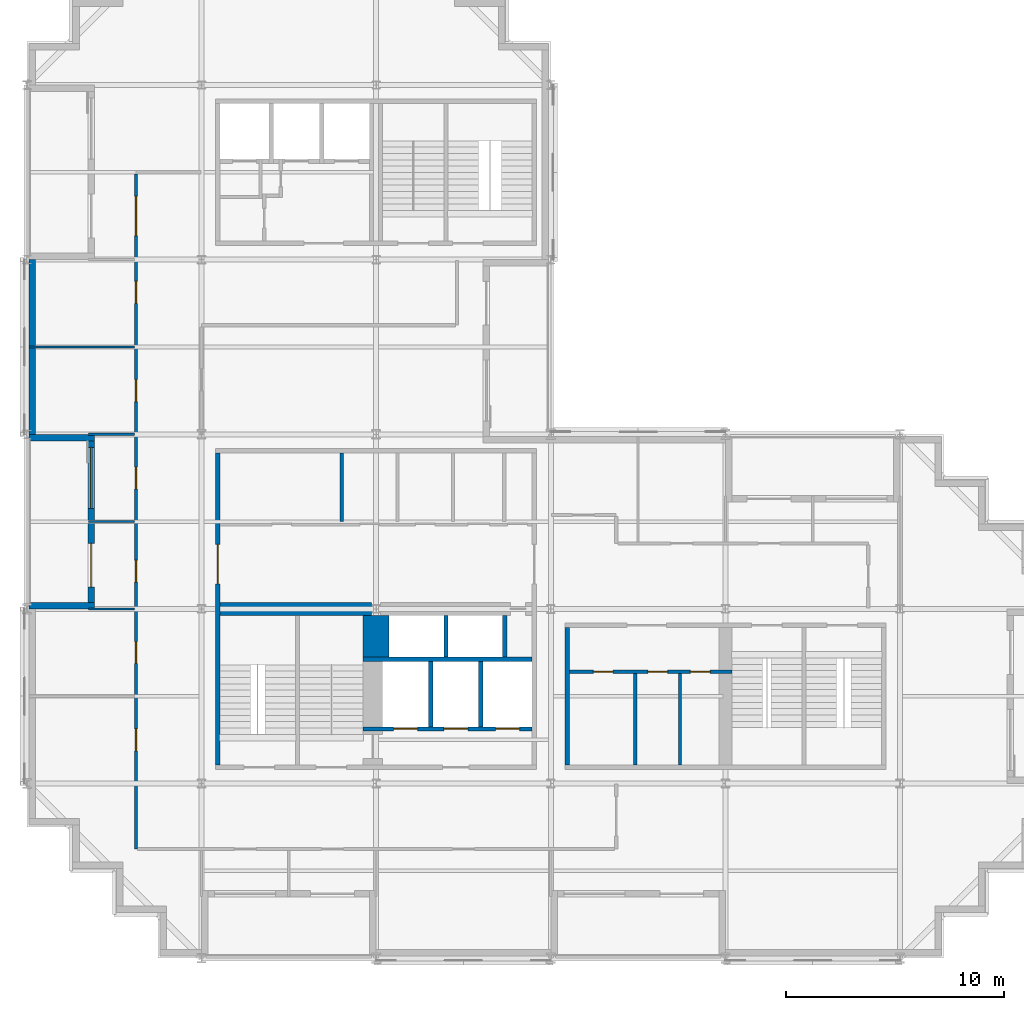
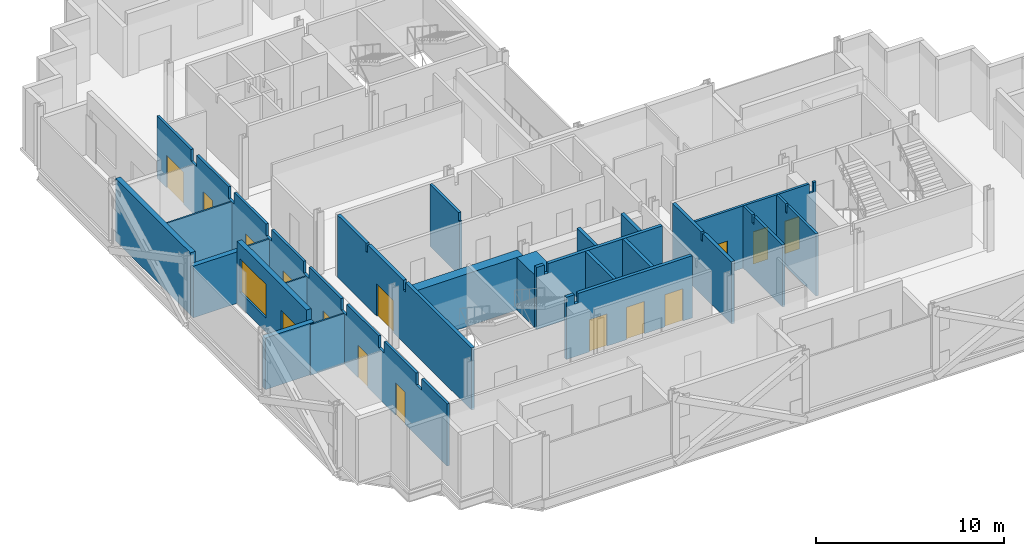
# One storey, part 5 of 11: 23 walls, 15 doors, 1 window, 16 openings.
"""IFC4 building model written with IfcOpenShell, lengths in metres."""

from ifc_helpers import new_model, si_unit, direction, frame, frame_2d, origin, place, context, subcontext, project, spatial, polyline, rectangle, outline, extrude, material, layer, layer_set, type_object, element, fill, save


model = new_model("IFC4")

# Units and contexts
model_context = context("Model", 3, precision=1e-05, world=origin(), true_north=direction((0.0, 1.0)))
body_context = subcontext(model_context, "Body", "Model", "MODEL_VIEW")
ifc_project = project(units=[si_unit("LENGTHUNIT", "METRE"), si_unit("AREAUNIT", "SQUARE_METRE"), si_unit("VOLUMEUNIT", "CUBIC_METRE"), si_unit("PLANEANGLEUNIT", "RADIAN"), si_unit("MASSUNIT", "GRAM", prefix="KILO")], contexts=[model_context])

# Site, building, storey
site_placement = place(None, origin())
site = spatial("IfcSite", under=ifc_project, at=site_placement, CompositionType="ELEMENT")
building_placement = place(site_placement, origin())
building = spatial("IfcBuilding", under=site, at=building_placement, Name="Immortelle Media Tower", CompositionType="ELEMENT")
storey_placement = place(building_placement, frame((0.0, 0.0, 141.0)))
storey = spatial("IfcBuildingStorey", under=building, at=storey_placement, Name="L28", CompositionType="ELEMENT", Elevation=141.0)

# Wall
ifc_material_1 = material(Name="Fire-rated gypsum board", Category="gypsum")
ifc_layer_1 = layer(ifc_material_1, 0.02490234375)
ifc_material_2 = material(Name="Steel ASTM A653 SS Gr 50 stud frame with mineral wool", Category="steel")
ifc_layer_2 = layer(ifc_material_2, 0.10009765625)
ifc_layer_3 = layer(ifc_material_1, 0.02490234375)
ifc_layer_set_1 = layer_set([ifc_layer_1, ifc_layer_2, ifc_layer_3], Name="Steel ASTM A653 SS Gr 50 stud frame with mineral wool")
wall_type_1 = type_object("IfcWallType", Name="Core partition 150", PredefinedType="PARTITIONING", material=ifc_layer_set_1)
wall_1_placement = place(storey_placement, frame((14.425048828125, 20.0, 0.0), z_axis=(0.0, 0.0, 1.0), x_axis=(0.0, 1.0, 0.0)))
element("IfcWall", 1, at=wall_1_placement, inside=storey, type_object=wall_type_1, Name="Core partition SW", PredefinedType="PARTITIONING", context=body_context, shape_type="SweptSolid", body=[
    extrude(outline(polyline([(0.0, 0.0), (3.14990234375, 0.0), (3.14990234375, 4.050048828125), (0.08740234375, 4.050048828125), (0.08642578125, 3.51806640625), (0.0, 3.51806640625), (0.0, 0.0)])), frame((0.0, 0.074951171875, 0.0), z_axis=(0.0, -1.0, 0.0), x_axis=(1.0, 0.0, 0.0)), (0.0, 0.0, 1.0), 0.14990234375),
])

# Wall, openings, doors
wall_2_placement = place(storey_placement, frame((24.85009765625, 13.125, 0.0), z_axis=(0.0, 0.0, 1.0), x_axis=(1.0, 0.0, 0.0)))
wall_2 = element("IfcWall", 2, at=wall_2_placement, inside=storey, type_object=wall_type_1, Name="Core partition SE", PredefinedType="PARTITIONING", context=body_context, shape_type="SweptSolid", body=[
    extrude(outline(polyline([(0.0, 0.0), (7.449951171875, 0.0), (7.449951171875, 4.050048828125), (7.26953125, 4.050048828125), (7.2685546875, 3.431884765625), (7.031494140625, 3.431884765625), (7.030517578125, 4.050048828125), (0.0, 4.050048828125), (0.0, 0.0)])), frame((0.0, 0.074951171875, 0.0), z_axis=(0.0, -1.0, 0.0), x_axis=(1.0, 0.0, 0.0)), (0.0, 0.0, 1.0), 0.14990234375),
])
opening_1_placement = place(wall_2_placement, frame((2.0, 0.0, 0.0), z_axis=(0.0, 0.0, 1.0), x_axis=(-1.0, 0.0, 0.0)))
opening_1 = element("IfcOpeningElement", 3, at=opening_1_placement, cuts=wall_2, Name="Opening C2-K016", PredefinedType="OPENING", context=body_context, shape_type="SweptSolid", body=[
    extrude(rectangle(XDim=0.89990234375, YDim=2.10009765625, at=frame_2d((0.449951171875, 1.050048828125))), frame((0.0, 0.0849609375, 0.0), z_axis=(0.0, -1.0, 0.0), x_axis=(1.0, 0.0, 0.0)), (0.0, 0.0, 1.0), 0.169921875),
])
opening_2_placement = place(wall_2_placement, frame((4.5, 0.0, 0.0), z_axis=(0.0, 0.0, 1.0), x_axis=(-1.0, 0.0, 0.0)))
opening_2 = element("IfcOpeningElement", 4, at=opening_2_placement, cuts=wall_2, Name="Opening C2-K018", PredefinedType="OPENING", context=body_context, shape_type="SweptSolid", body=[
    extrude(rectangle(XDim=0.89990234375, YDim=2.10009765625, at=frame_2d((0.449951171875, 1.050048828125))), frame((0.0, 0.0849609375, 0.0), z_axis=(0.0, -1.0, 0.0), x_axis=(1.0, 0.0, 0.0)), (0.0, 0.0, 1.0), 0.169921875),
])
opening_3_placement = place(wall_2_placement, frame((6.449951171875, 0.0, 0.0), z_axis=(0.0, 0.0, 1.0), x_axis=(-1.0, 0.0, 0.0)))
opening_3 = element("IfcOpeningElement", 5, at=opening_3_placement, cuts=wall_2, Name="Opening C2-K019", PredefinedType="OPENING", context=body_context, shape_type="SweptSolid", body=[
    extrude(rectangle(XDim=0.89990234375, YDim=2.10009765625, at=frame_2d((0.449951171875, 1.050048828125))), frame((0.0, 0.0849609375, 0.0), z_axis=(0.0, -1.0, 0.0), x_axis=(1.0, 0.0, 0.0)), (0.0, 0.0, 1.0), 0.169921875),
])
ifc_material_3 = material(Name="Timber", Category="wood")
door_type_1 = type_object("IfcDoorType", Name="Room door 900 x 2100", OperationType="NOTDEFINED", PredefinedType="NOTDEFINED", material=ifc_material_3)
door_1_placement = place(opening_1_placement, origin())
door_1 = element("IfcDoor", 6, at=door_1_placement, inside=storey, type_object=door_type_1, Name="Room C2-K016", OperationType="SINGLE_SWING_RIGHT", OverallHeight=2.10009765625, OverallWidth=0.89990234375, PredefinedType="NOTDEFINED", context=body_context, shape_type="SweptSolid", body=[
    extrude(rectangle(XDim=0.89990234375, YDim=2.10009765625, at=frame_2d((0.449951171875, 1.050048828125))), frame((0.0, 0.02490234375, 0.0), z_axis=(0.0, -1.0, 0.0), x_axis=(1.0, 0.0, 0.0)), (0.0, 0.0, 1.0), 0.050048828125),
])
fill(opening_1, door_1)
door_2_placement = place(opening_2_placement, origin())
door_2 = element("IfcDoor", 7, at=door_2_placement, inside=storey, type_object=door_type_1, Name="Room C2-K018", OperationType="SINGLE_SWING_LEFT", OverallHeight=2.10009765625, OverallWidth=0.89990234375, PredefinedType="NOTDEFINED", context=body_context, shape_type="SweptSolid", body=[
    extrude(rectangle(XDim=0.89990234375, YDim=2.10009765625, at=frame_2d((0.449951171875, 1.050048828125))), frame((0.0, 0.02490234375, 0.0), z_axis=(0.0, -1.0, 0.0), x_axis=(1.0, 0.0, 0.0)), (0.0, 0.0, 1.0), 0.050048828125),
])
fill(opening_2, door_2)
ifc_material_4 = material(Name="Galvanised steel door leaf and frame ASTM A653", Category="steel")
door_type_2 = type_object("IfcDoorType", Name="Service door 900 x 2100", OperationType="NOTDEFINED", PredefinedType="NOTDEFINED", material=ifc_material_4)
door_3_placement = place(opening_3_placement, origin())
door_3 = element("IfcDoor", 8, at=door_3_placement, inside=storey, type_object=door_type_2, Name="Service C2-K019", OperationType="SINGLE_SWING_LEFT", OverallHeight=2.10009765625, OverallWidth=0.89990234375, PredefinedType="NOTDEFINED", context=body_context, shape_type="SweptSolid", body=[
    extrude(rectangle(XDim=0.89990234375, YDim=2.10009765625, at=frame_2d((0.449951171875, 1.050048828125))), frame((0.0, 0.02490234375, 0.0), z_axis=(0.0, -1.0, 0.0), x_axis=(1.0, 0.0, 0.0)), (0.0, 0.0, 1.0), 0.050048828125),
])
fill(opening_3, door_3)

# Walls
for number, where, z_axis, x_axis, name in (
    (9, (27.875, 8.85009765625, 0.0), (0.0, 0.0, 1.0), (0.0, 1.0, 0.0), "Core partition SE"),
    (10, (29.925048828125, 8.85009765625, 0.0), (0.0, 0.0, 1.0), (0.0, 1.0, 0.0), "Core partition SE"),
):
    element("IfcWall", number, at=place(storey_placement, frame(where, z_axis=z_axis, x_axis=x_axis)), inside=storey, type_object=wall_type_1, Name=name, PredefinedType="PARTITIONING", context=body_context, shape_type="SweptSolid", body=[
        extrude(outline(polyline([(0.0, 0.0), (4.199951171875, 0.0), (4.199951171875, 4.050048828125), (3.237548828125, 4.050048828125), (3.236572265625, 3.51806640625), (3.0634765625, 3.51806640625), (3.0625, 4.050048828125), (0.0, 4.050048828125), (0.0, 0.0)])), frame((0.0, 0.074951171875, 0.0), z_axis=(0.0, -1.0, 0.0), x_axis=(1.0, 0.0, 0.0)), (0.0, 0.0, 1.0), 0.14990234375),
    ])

# Wall, openings, doors
ifc_layer_4 = layer(ifc_material_1, 0.03759765625)
ifc_layer_5 = layer(ifc_material_2, 0.125)
ifc_layer_6 = layer(ifc_material_1, 0.03759765625)
ifc_layer_set_2 = layer_set([ifc_layer_4, ifc_layer_5, ifc_layer_6], Name="Steel ASTM A653 SS Gr 50 stud frame with mineral wool")
wall_type_2 = type_object("IfcWallType", Name="Core shaft wall 200", PredefinedType="PARTITIONING", material=ifc_layer_set_2)
wall_3_placement = place(storey_placement, frame((15.39990234375, 10.5, 0.0), z_axis=(0.0, 0.0, 1.0), x_axis=(1.0, 0.0, 0.0)))
wall_3 = element("IfcWall", 11, at=wall_3_placement, inside=storey, type_object=wall_type_2, Name="Core shaft wall SW", PredefinedType="PARTITIONING", context=body_context, shape_type="SweptSolid", body=[
    extrude(outline(polyline([(0.0, 0.0), (7.75, 0.0), (7.75, 4.050048828125), (0.719482421875, 4.050048828125), (0.718505859375, 3.431884765625), (0.4814453125, 3.431884765625), (0.48046875, 4.050048828125), (0.0, 4.050048828125), (0.0, 0.0)])), frame((0.0, 0.10009765625, 0.0), z_axis=(0.0, -1.0, 0.0), x_axis=(1.0, 0.0, 0.0)), (0.0, 0.0, 1.0), 0.199951171875),
])
opening_4_placement = place(wall_3_placement, frame((1.39990234375, 0.0, 0.0)))
opening_4 = element("IfcOpeningElement", 12, at=opening_4_placement, cuts=wall_3, Name="Opening LD", PredefinedType="OPENING", context=body_context, shape_type="SweptSolid", body=[
    extrude(rectangle(XDim=1.10009765625, YDim=2.10009765625, at=frame_2d((0.550048828125, 1.050048828125))), frame((0.0, 0.10986328125, 0.0), z_axis=(0.0, -1.0, 0.0), x_axis=(1.0, 0.0, 0.0)), (0.0, 0.0, 1.0), 0.219970703125),
])
opening_5_placement = place(wall_3_placement, frame((3.699951171875, 0.0, 0.0)))
opening_5 = element("IfcOpeningElement", 13, at=opening_5_placement, cuts=wall_3, Name="Opening LD", PredefinedType="OPENING", context=body_context, shape_type="SweptSolid", body=[
    extrude(rectangle(XDim=1.10009765625, YDim=2.10009765625, at=frame_2d((0.550048828125, 1.050048828125))), frame((0.0, 0.10986328125, 0.0), z_axis=(0.0, -1.0, 0.0), x_axis=(1.0, 0.0, 0.0)), (0.0, 0.0, 1.0), 0.219970703125),
])
opening_6_placement = place(wall_3_placement, frame((6.074951171875, 0.0, 0.0)))
opening_6 = element("IfcOpeningElement", 14, at=opening_6_placement, cuts=wall_3, Name="Opening LD", PredefinedType="OPENING", context=body_context, shape_type="SweptSolid", body=[
    extrude(rectangle(XDim=1.10009765625, YDim=2.10009765625, at=frame_2d((0.550048828125, 1.050048828125))), frame((0.0, 0.10986328125, 0.0), z_axis=(0.0, -1.0, 0.0), x_axis=(1.0, 0.0, 0.0)), (0.0, 0.0, 1.0), 0.219970703125),
])
ifc_material_5 = material(Name="Stainless steel AISI 304", Category="steel")
door_type_3 = type_object("IfcDoorType", Name="Landing door 1100 x 2100", OperationType="SLIDING_TO_LEFT", PredefinedType="NOTDEFINED", material=ifc_material_5)
door_4_placement = place(opening_4_placement, origin())
door_4 = element("IfcDoor", 15, at=door_4_placement, inside=storey, type_object=door_type_3, Name="Landing door FF1 L28", OperationType="SLIDING_TO_LEFT", OverallHeight=2.10009765625, OverallWidth=1.10009765625, PredefinedType="NOTDEFINED", context=body_context, shape_type="SweptSolid", body=[
    extrude(rectangle(XDim=1.10009765625, YDim=2.10009765625, at=frame_2d((0.550048828125, 1.050048828125))), frame((0.0, 0.02490234375, 0.0), z_axis=(0.0, -1.0, 0.0), x_axis=(1.0, 0.0, 0.0)), (0.0, 0.0, 1.0), 0.050048828125),
])
fill(opening_4, door_4)
door_5_placement = place(opening_5_placement, origin())
door_5 = element("IfcDoor", 16, at=door_5_placement, inside=storey, type_object=door_type_3, Name="Landing door FF2 L28", OperationType="SLIDING_TO_LEFT", OverallHeight=2.10009765625, OverallWidth=1.10009765625, PredefinedType="NOTDEFINED", context=body_context, shape_type="SweptSolid", body=[
    extrude(rectangle(XDim=1.10009765625, YDim=2.10009765625, at=frame_2d((0.550048828125, 1.050048828125))), frame((0.0, 0.02490234375, 0.0), z_axis=(0.0, -1.0, 0.0), x_axis=(1.0, 0.0, 0.0)), (0.0, 0.0, 1.0), 0.050048828125),
])
fill(opening_5, door_5)
door_6_placement = place(opening_6_placement, origin())
door_6 = element("IfcDoor", 17, at=door_6_placement, inside=storey, type_object=door_type_3, Name="Landing door FF3 L28", OperationType="SLIDING_TO_LEFT", OverallHeight=2.10009765625, OverallWidth=1.10009765625, PredefinedType="NOTDEFINED", context=body_context, shape_type="SweptSolid", body=[
    extrude(rectangle(XDim=1.10009765625, YDim=2.10009765625, at=frame_2d((0.550048828125, 1.050048828125))), frame((0.0, 0.02490234375, 0.0), z_axis=(0.0, -1.0, 0.0), x_axis=(1.0, 0.0, 0.0)), (0.0, 0.0, 1.0), 0.050048828125),
])
fill(opening_6, door_6)

# Walls
wall_4_placement = place(storey_placement, frame((15.39990234375, 13.699951171875, 0.0), z_axis=(0.0, 0.0, 1.0), x_axis=(1.0, 0.0, 0.0)))
element("IfcWall", 18, at=wall_4_placement, inside=storey, type_object=wall_type_2, Name="Core shaft wall SW", PredefinedType="PARTITIONING", context=body_context, shape_type="SweptSolid", body=[
    extrude(outline(polyline([(0.0, 0.0), (7.75, 0.0), (7.75, 4.050048828125), (0.719482421875, 4.050048828125), (0.718505859375, 3.431884765625), (0.4814453125, 3.431884765625), (0.48046875, 4.050048828125), (0.0, 4.050048828125), (0.0, 0.0)])), frame((0.0, 0.10009765625, 0.0), z_axis=(0.0, -1.0, 0.0), x_axis=(1.0, 0.0, 0.0)), (0.0, 0.0, 1.0), 0.199951171875),
])
wall_5_placement = place(storey_placement, frame((18.5, 10.60009765625, 0.0), z_axis=(0.0, 0.0, 1.0), x_axis=(0.0, 1.0, 0.0)))
element("IfcWall", 19, at=wall_5_placement, inside=storey, type_object=wall_type_2, Name="Core shaft wall SW", PredefinedType="PARTITIONING", context=body_context, shape_type="SweptSolid", body=[
    extrude(rectangle(XDim=3.0, YDim=0.199951171875, at=frame_2d((1.5, 0.0))), origin(), (0.0, 0.0, 1.0), 4.050048828125),
])
wall_6_placement = place(storey_placement, frame((19.199951171875, 13.800048828125, 0.0), z_axis=(0.0, 0.0, 1.0), x_axis=(0.0, 1.0, 0.0)))
element("IfcWall", 20, at=wall_6_placement, inside=storey, type_object=wall_type_2, Name="Core shaft wall SW", PredefinedType="PARTITIONING", context=body_context, shape_type="SweptSolid", body=[
    extrude(rectangle(XDim=1.89990234375, YDim=0.199951171875, at=frame_2d((0.949951171875, 0.0))), origin(), (0.0, 0.0, 1.0), 4.050048828125),
])
wall_7_placement = place(storey_placement, frame((20.800048828125, 10.60009765625, 0.0), z_axis=(0.0, 0.0, 1.0), x_axis=(0.0, 1.0, 0.0)))
element("IfcWall", 21, at=wall_7_placement, inside=storey, type_object=wall_type_2, Name="Core shaft wall SW", PredefinedType="PARTITIONING", context=body_context, shape_type="SweptSolid", body=[
    extrude(rectangle(XDim=3.0, YDim=0.199951171875, at=frame_2d((1.5, 0.0))), origin(), (0.0, 0.0, 1.0), 4.050048828125),
])
wall_8_placement = place(storey_placement, frame((21.89990234375, 13.800048828125, 0.0), z_axis=(0.0, 0.0, 1.0), x_axis=(0.0, 1.0, 0.0)))
element("IfcWall", 22, at=wall_8_placement, inside=storey, type_object=wall_type_2, Name="Core shaft wall SW", PredefinedType="PARTITIONING", context=body_context, shape_type="SweptSolid", body=[
    extrude(rectangle(XDim=1.89990234375, YDim=0.199951171875, at=frame_2d((0.949951171875, 0.0))), origin(), (0.0, 0.0, 1.0), 4.050048828125),
])
wall_9_placement = place(storey_placement, frame((24.75, 8.85009765625, 0.0), z_axis=(0.0, 0.0, 1.0), x_axis=(0.0, 1.0, 0.0)))
element("IfcWall", 23, at=wall_9_placement, inside=storey, type_object=wall_type_2, Name="Core shaft wall SE", PredefinedType="PARTITIONING", context=body_context, shape_type="SweptSolid", body=[
    extrude(outline(polyline([(0.0, 0.0), (6.2998046875, 0.0), (6.300048828125, 4.050048828125), (3.237548828125, 4.050048828125), (3.236572265625, 3.51806640625), (3.0634765625, 3.51806640625), (3.0625, 4.050048828125), (0.0, 4.050048828125), (0.0, 0.0)])), frame((0.0, 0.10009765625, 0.0), z_axis=(0.0, -1.0, 0.0), x_axis=(1.0, 0.0, 0.0)), (0.0, 0.0, 1.0), 0.199951171875),
])

# Wall, openings, doors
ifc_layer_7 = layer(ifc_material_1, 0.012451171875)
ifc_layer_8 = layer(ifc_material_2, 0.125)
ifc_layer_9 = layer(ifc_material_1, 0.012451171875)
ifc_layer_set_3 = layer_set([ifc_layer_7, ifc_layer_8, ifc_layer_9], Name="Steel ASTM A653 SS Gr 50 stud frame with mineral wool")
wall_type_3 = type_object("IfcWallType", Name="Corridor wall 150", PredefinedType="PARTITIONING", material=ifc_layer_set_3)
wall_10_placement = place(storey_placement, frame((5.0, 5.0, 0.0), z_axis=(0.0, 0.0, 1.0), x_axis=(0.0, 1.0, 0.0)))
wall_10 = element("IfcWall", 24, at=wall_10_placement, inside=storey, type_object=wall_type_3, Name="Partition L28-006", PredefinedType="PARTITIONING", context=body_context, shape_type="SweptSolid", body=[
    extrude(outline(polyline([(0.0, 0.0), (30.925048828125, 0.0), (30.925048828125, 4.050048828125), (27.300048828125, 4.050048828125), (27.298095703125, 3.2880859375), (26.701904296875, 3.2880859375), (26.699951171875, 4.050048828125), (23.300048828125, 4.050048828125), (23.298095703125, 3.2880859375), (22.701904296875, 3.2880859375), (22.699951171875, 4.050048828125), (19.300048828125, 4.050048828125), (19.298095703125, 3.2880859375), (18.701904296875, 3.2880859375), (18.699951171875, 4.050048828125), (15.300048828125, 4.050048828125), (15.298095703125, 3.2880859375), (14.701904296875, 3.2880859375), (14.699951171875, 4.050048828125), (11.300048828125, 4.050048828125), (11.298095703125, 3.2880859375), (10.701904296875, 3.2880859375), (10.699951171875, 4.050048828125), (7.300048828125, 4.050048828125), (7.298095703125, 3.2880859375), (6.701904296875, 3.2880859375), (6.699951171875, 4.050048828125), (3.300048828125, 4.050048828125), (3.298095703125, 3.2880859375), (2.701904296875, 3.2880859375), (2.699951171875, 4.050048828125), (0.0, 4.050048828125), (0.0, 0.0)])), frame((0.0, 0.074951171875, 0.0), z_axis=(0.0, -1.0, 0.0), x_axis=(1.0, 0.0, 0.0)), (0.0, 0.0, 1.0), 0.14990234375),
])
opening_7_placement = place(wall_10_placement, frame((4.5, 0.0, 0.0)))
opening_7 = element("IfcOpeningElement", 25, at=opening_7_placement, cuts=wall_10, Name="Opening C2-F005", PredefinedType="OPENING", context=body_context, shape_type="SweptSolid", body=[
    extrude(rectangle(XDim=1.0, YDim=2.10009765625, at=frame_2d((0.5, 1.050048828125))), frame((0.0, 0.0849609375, 0.0), z_axis=(0.0, -1.0, 0.0), x_axis=(1.0, 0.0, 0.0)), (0.0, 0.0, 1.0), 0.169921875),
])
opening_8_placement = place(wall_10_placement, frame((8.5, 0.0, 0.0)))
opening_8 = element("IfcOpeningElement", 26, at=opening_8_placement, cuts=wall_10, Name="Opening C2-F006", PredefinedType="OPENING", context=body_context, shape_type="SweptSolid", body=[
    extrude(rectangle(XDim=1.0, YDim=2.10009765625, at=frame_2d((0.5, 1.050048828125))), frame((0.0, 0.0849609375, 0.0), z_axis=(0.0, -1.0, 0.0), x_axis=(1.0, 0.0, 0.0)), (0.0, 0.0, 1.0), 0.169921875),
])
opening_9_placement = place(wall_10_placement, frame((12.22509765625, 0.0, 0.0)))
opening_9 = element("IfcOpeningElement", 27, at=opening_9_placement, cuts=wall_10, Name="Opening C2-F009", PredefinedType="OPENING", context=body_context, shape_type="SweptSolid", body=[
    extrude(rectangle(XDim=1.0, YDim=2.10009765625, at=frame_2d((0.5, 1.050048828125))), frame((0.0, 0.0849609375, 0.0), z_axis=(0.0, -1.0, 0.0), x_axis=(1.0, 0.0, 0.0)), (0.0, 0.0, 1.0), 0.169921875),
])
opening_10_placement = place(wall_10_placement, frame((16.5, 0.0, 0.0)))
opening_10 = element("IfcOpeningElement", 28, at=opening_10_placement, cuts=wall_10, Name="Opening C2-F010", PredefinedType="OPENING", context=body_context, shape_type="SweptSolid", body=[
    extrude(rectangle(XDim=1.0, YDim=2.10009765625, at=frame_2d((0.5, 1.050048828125))), frame((0.0, 0.0849609375, 0.0), z_axis=(0.0, -1.0, 0.0), x_axis=(1.0, 0.0, 0.0)), (0.0, 0.0, 1.0), 0.169921875),
])
opening_11_placement = place(wall_10_placement, frame((20.5, 0.0, 0.0)))
opening_11 = element("IfcOpeningElement", 29, at=opening_11_placement, cuts=wall_10, Name="Opening C2-F014", PredefinedType="OPENING", context=body_context, shape_type="SweptSolid", body=[
    extrude(rectangle(XDim=1.0, YDim=2.10009765625, at=frame_2d((0.5, 1.050048828125))), frame((0.0, 0.0849609375, 0.0), z_axis=(0.0, -1.0, 0.0), x_axis=(1.0, 0.0, 0.0)), (0.0, 0.0, 1.0), 0.169921875),
])
opening_12_placement = place(wall_10_placement, frame((25.0, 0.0, 0.0)))
opening_12 = element("IfcOpeningElement", 30, at=opening_12_placement, cuts=wall_10, Name="Opening C2-F015", PredefinedType="OPENING", context=body_context, shape_type="SweptSolid", body=[
    extrude(rectangle(XDim=1.0, YDim=2.10009765625, at=frame_2d((0.5, 1.050048828125))), frame((0.0, 0.0849609375, 0.0), z_axis=(0.0, -1.0, 0.0), x_axis=(1.0, 0.0, 0.0)), (0.0, 0.0, 1.0), 0.169921875),
])
opening_13_placement = place(wall_10_placement, frame((28.10009765625, 0.0, 0.0)))
opening_13 = element("IfcOpeningElement", 31, at=opening_13_placement, cuts=wall_10, Name="Opening C2-F016", PredefinedType="OPENING", context=body_context, shape_type="SweptSolid", body=[
    extrude(rectangle(XDim=1.800048828125, YDim=2.10009765625, at=frame_2d((0.89990234375, 1.050048828125))), frame((0.0, 0.0849609375, 0.0), z_axis=(0.0, -1.0, 0.0), x_axis=(1.0, 0.0, 0.0)), (0.0, 0.0, 1.0), 0.169921875),
])
ifc_material_6 = material(Name="Timber veneered door leaf, galvanised steel frame ASTM A653", Category="steel")
door_type_4 = type_object("IfcDoorType", Name="Room door 1000 x 2100", OperationType="NOTDEFINED", PredefinedType="DOOR", material=ifc_material_6)
door_7_placement = place(opening_7_placement, origin())
door_7 = element("IfcDoor", 32, at=door_7_placement, inside=storey, type_object=door_type_4, Name="Door C2-F005", OperationType="SINGLE_SWING_RIGHT", OverallHeight=2.10009765625, OverallWidth=1.0, PredefinedType="DOOR", context=body_context, shape_type="SweptSolid", body=[
    extrude(rectangle(XDim=1.0, YDim=2.10009765625, at=frame_2d((0.5, 1.050048828125))), frame((0.0, 0.02490234375, 0.0), z_axis=(0.0, -1.0, 0.0), x_axis=(1.0, 0.0, 0.0)), (0.0, 0.0, 1.0), 0.050048828125),
])
fill(opening_7, door_7)
door_8_placement = place(opening_8_placement, origin())
door_8 = element("IfcDoor", 33, at=door_8_placement, inside=storey, type_object=door_type_4, Name="Door C2-F006", OperationType="SINGLE_SWING_RIGHT", OverallHeight=2.10009765625, OverallWidth=1.0, PredefinedType="DOOR", context=body_context, shape_type="SweptSolid", body=[
    extrude(rectangle(XDim=1.0, YDim=2.10009765625, at=frame_2d((0.5, 1.050048828125))), frame((0.0, 0.02490234375, 0.0), z_axis=(0.0, -1.0, 0.0), x_axis=(1.0, 0.0, 0.0)), (0.0, 0.0, 1.0), 0.050048828125),
])
fill(opening_8, door_8)
door_9_placement = place(opening_9_placement, origin())
door_9 = element("IfcDoor", 34, at=door_9_placement, inside=storey, type_object=door_type_4, Name="Door C2-F009", OperationType="SINGLE_SWING_LEFT", OverallHeight=2.10009765625, OverallWidth=1.0, PredefinedType="DOOR", context=body_context, shape_type="SweptSolid", body=[
    extrude(rectangle(XDim=1.0, YDim=2.10009765625, at=frame_2d((0.5, 1.050048828125))), frame((0.0, 0.02490234375, 0.0), z_axis=(0.0, -1.0, 0.0), x_axis=(1.0, 0.0, 0.0)), (0.0, 0.0, 1.0), 0.050048828125),
])
fill(opening_9, door_9)
door_10_placement = place(opening_10_placement, origin())
door_10 = element("IfcDoor", 35, at=door_10_placement, inside=storey, type_object=door_type_4, Name="Door C2-F010", OperationType="SINGLE_SWING_LEFT", OverallHeight=2.10009765625, OverallWidth=1.0, PredefinedType="DOOR", context=body_context, shape_type="SweptSolid", body=[
    extrude(rectangle(XDim=1.0, YDim=2.10009765625, at=frame_2d((0.5, 1.050048828125))), frame((0.0, 0.02490234375, 0.0), z_axis=(0.0, -1.0, 0.0), x_axis=(1.0, 0.0, 0.0)), (0.0, 0.0, 1.0), 0.050048828125),
])
fill(opening_10, door_10)
door_11_placement = place(opening_11_placement, origin())
door_11 = element("IfcDoor", 36, at=door_11_placement, inside=storey, type_object=door_type_4, Name="Door C2-F014", OperationType="SINGLE_SWING_RIGHT", OverallHeight=2.10009765625, OverallWidth=1.0, PredefinedType="DOOR", context=body_context, shape_type="SweptSolid", body=[
    extrude(rectangle(XDim=1.0, YDim=2.10009765625, at=frame_2d((0.5, 1.050048828125))), frame((0.0, 0.02490234375, 0.0), z_axis=(0.0, -1.0, 0.0), x_axis=(1.0, 0.0, 0.0)), (0.0, 0.0, 1.0), 0.050048828125),
])
fill(opening_11, door_11)
door_12_placement = place(opening_12_placement, origin())
door_12 = element("IfcDoor", 37, at=door_12_placement, inside=storey, type_object=door_type_4, Name="Door C2-F015", OperationType="SINGLE_SWING_RIGHT", OverallHeight=2.10009765625, OverallWidth=1.0, PredefinedType="DOOR", context=body_context, shape_type="SweptSolid", body=[
    extrude(rectangle(XDim=1.0, YDim=2.10009765625, at=frame_2d((0.5, 1.050048828125))), frame((0.0, 0.02490234375, 0.0), z_axis=(0.0, -1.0, 0.0), x_axis=(1.0, 0.0, 0.0)), (0.0, 0.0, 1.0), 0.050048828125),
])
fill(opening_12, door_12)
door_type_5 = type_object("IfcDoorType", Name="Room door 1800 x 2100", OperationType="DOUBLE_DOOR_SINGLE_SWING", PredefinedType="DOOR", material=ifc_material_6)
door_13_placement = place(opening_13_placement, origin())
door_13 = element("IfcDoor", 38, at=door_13_placement, inside=storey, type_object=door_type_5, Name="Door C2-F016", OperationType="DOUBLE_DOOR_SINGLE_SWING", OverallHeight=2.10009765625, OverallWidth=1.800048828125, PredefinedType="DOOR", context=body_context, shape_type="SweptSolid", body=[
    extrude(rectangle(XDim=1.800048828125, YDim=2.10009765625, at=frame_2d((0.89990234375, 1.050048828125))), frame((0.0, 0.02490234375, 0.0), z_axis=(0.0, -1.0, 0.0), x_axis=(1.0, 0.0, 0.0)), (0.0, 0.0, 1.0), 0.050048828125),
])
fill(opening_13, door_13)

# Wall
ifc_material_7 = material(Name="Pale aluminium cladding panel", Category="aluminium")
ifc_layer_10 = layer(ifc_material_7, 0.030029296875)
ifc_layer_11 = layer(ifc_material_2, 0.257568359375)
ifc_material_8 = material(Name="Moisture-resistant gypsum board", Category="gypsum")
ifc_layer_12 = layer(ifc_material_8, 0.012451171875)
ifc_layer_set_4 = layer_set([ifc_layer_10, ifc_layer_11, ifc_layer_12], Name="Steel ASTM A653 SS Gr 50 stud frame with mineral wool")
wall_type_4 = type_object("IfcWallType", Name="Facade wall 300", PredefinedType="SOLIDWALL", material=ifc_layer_set_4)
wall_11_placement = place(storey_placement, frame((0.25, 32.0, 0.0), z_axis=(0.0, 0.0, 1.0), x_axis=(0.0, -1.0, 0.0)))
element("IfcWall", 39, at=wall_11_placement, inside=storey, type_object=wall_type_4, Name="Facade wall L28 W35", PredefinedType="SOLIDWALL", context=body_context, shape_type="SweptSolid", body=[
    extrude(rectangle(XDim=8.0, YDim=0.300048828125, at=frame_2d((4.0, 0.0))), origin(), (0.0, 0.0, 1.0), 4.050048828125),
])

# Wall, openings, door, window
wall_12_placement = place(storey_placement, frame((2.949951171875, 23.699951171875, 0.0), z_axis=(0.0, 0.0, 1.0), x_axis=(0.0, -1.0, 0.0)))
wall_12 = element("IfcWall", 40, at=wall_12_placement, inside=storey, type_object=wall_type_4, Name="Loggia wall L28 W35", PredefinedType="SOLIDWALL", context=body_context, shape_type="SweptSolid", body=[
    extrude(rectangle(XDim=7.39990234375, YDim=0.300048828125, at=frame_2d((3.699951171875, 0.0))), origin(), (0.0, 0.0, 1.0), 4.050048828125),
])
opening_14_placement = place(wall_12_placement, frame((0.300048828125, 0.0, 0.89990234375)))
opening_14 = element("IfcOpeningElement", 41, at=opening_14_placement, cuts=wall_12, Name="Opening W1", PredefinedType="OPENING", context=body_context, shape_type="SweptSolid", body=[
    extrude(rectangle(XDim=2.800048828125, YDim=2.199951171875, at=frame_2d((1.39990234375, 1.10009765625))), frame((0.0, 0.159912109375, 0.0), z_axis=(0.0, -1.0, 0.0), x_axis=(1.0, 0.0, 0.0)), (0.0, 0.0, 1.0), 0.320068359375),
])
opening_15_placement = place(wall_12_placement, frame((4.699951171875, 0.0, 0.0)))
opening_15 = element("IfcOpeningElement", 42, at=opening_15_placement, cuts=wall_12, Name="Opening C2-E008", PredefinedType="OPENING", context=body_context, shape_type="SweptSolid", body=[
    extrude(rectangle(XDim=2.0, YDim=2.39990234375, at=frame_2d((1.0, 1.199951171875))), frame((0.0, 0.159912109375, 0.0), z_axis=(0.0, -1.0, 0.0), x_axis=(1.0, 0.0, 0.0)), (0.0, 0.0, 1.0), 0.320068359375),
])
ifc_material_9 = material(Name="Aluminium frame, glazed leaves", Category="aluminium")
door_type_6 = type_object("IfcDoorType", Name="Loggia door 2000 x 2400", OperationType="DOUBLE_DOOR_SINGLE_SWING", PredefinedType="DOOR", material=ifc_material_9)
door_14_placement = place(opening_15_placement, origin())
door_14 = element("IfcDoor", 43, at=door_14_placement, inside=storey, type_object=door_type_6, Name="Door C2-E008", OperationType="DOUBLE_DOOR_SINGLE_SWING", OverallHeight=2.39990234375, OverallWidth=2.0, PredefinedType="DOOR", context=body_context, shape_type="SweptSolid", body=[
    extrude(rectangle(XDim=2.0, YDim=2.39990234375, at=frame_2d((1.0, 1.199951171875))), frame((0.0, 0.02490234375, 0.0), z_axis=(0.0, -1.0, 0.0), x_axis=(1.0, 0.0, 0.0)), (0.0, 0.0, 1.0), 0.050048828125),
])
fill(opening_15, door_14)
ifc_material_10 = material(Name="Aluminium frame", Category="aluminium")
window_type = type_object("IfcWindowType", Name="Window 2800 x 2200", PartitioningType="SINGLE_PANEL", PredefinedType="WINDOW", material=ifc_material_10)
window_placement = place(opening_14_placement, origin())
window = element("IfcWindow", 44, at=window_placement, inside=storey, type_object=window_type, Name="Window L28 L28-R35-B2", OverallHeight=2.199951171875, OverallWidth=2.800048828125, PartitioningType="SINGLE_PANEL", PredefinedType="WINDOW", context=body_context, shape_type="SweptSolid", body=[
    extrude(rectangle(XDim=2.800048828125, YDim=2.199951171875, at=frame_2d((1.39990234375, 1.10009765625))), frame((0.0, 0.030029296875, 0.0), z_axis=(0.0, -1.0, 0.0), x_axis=(1.0, 0.0, 0.0)), (0.0, 0.0, 1.0), 0.06005859375),
])
fill(opening_14, window)

# Walls
for number, where, z_axis, x_axis, name in (
    (45, (0.10009765625, 23.85009765625, 0.0), (0.0, 0.0, 1.0), (1.0, 0.0, 0.0), "Loggia cheek wall L28 W"),
    (46, (0.10009765625, 16.14990234375, 0.0), (0.0, 0.0, 1.0), (1.0, 0.0, 0.0), "Loggia cheek wall L28 W"),
):
    element("IfcWall", number, at=place(storey_placement, frame(where, z_axis=z_axis, x_axis=x_axis)), inside=storey, type_object=wall_type_4, Name=name, PredefinedType="SOLIDWALL", context=body_context, shape_type="SweptSolid", body=[
        extrude(rectangle(XDim=3.0, YDim=0.300048828125, at=frame_2d((1.5, 0.0))), origin(), (0.0, 0.0, 1.0), 3.35595703125),
    ])
ifc_material_11 = material(Name="Gypsum board", Category="gypsum")
ifc_layer_13 = layer(ifc_material_11, 0.012451171875)
ifc_layer_14 = layer(ifc_material_2, 0.074951171875)
ifc_layer_15 = layer(ifc_material_11, 0.012451171875)
ifc_layer_set_5 = layer_set([ifc_layer_13, ifc_layer_14, ifc_layer_15], Name="Steel ASTM A653 SS Gr 50 stud frame with mineral wool")
wall_type_5 = type_object("IfcWallType", Name="Partition 100", PredefinedType="PARTITIONING", material=ifc_layer_set_5)
for number, where, z_axis, x_axis, name in (
    (47, (2.830078125, 16.0, 0.0), (0.0, 0.0, 1.0), (1.0, 0.0, 0.0), "Partition L28-009"),
    (48, (2.830078125, 20.0, 0.0), (0.0, 0.0, 1.0), (1.0, 0.0, 0.0), "Partition L28-017"),
    (49, (2.830078125, 24.0, 0.0), (0.0, 0.0, 1.0), (1.0, 0.0, 0.0), "Partition L28-019"),
):
    element("IfcWall", number, at=place(storey_placement, frame(where, z_axis=z_axis, x_axis=x_axis)), inside=storey, type_object=wall_type_5, Name=name, PredefinedType="PARTITIONING", context=body_context, shape_type="SweptSolid", body=[
        extrude(rectangle(XDim=2.094970703125, YDim=0.10009765625, at=frame_2d((1.04736328125, 0.0))), origin(), (0.0, 0.0, 1.0), 3.2880859375),
    ])
wall_13_placement = place(storey_placement, frame((0.1298828125, 28.0, 0.0), z_axis=(0.0, 0.0, 1.0), x_axis=(1.0, 0.0, 0.0)))
element("IfcWall", 50, at=wall_13_placement, inside=storey, type_object=wall_type_5, Name="Partition L28-021", PredefinedType="PARTITIONING", context=body_context, shape_type="SweptSolid", body=[
    extrude(rectangle(XDim=4.795166015625, YDim=0.10009765625, at=frame_2d((2.3974609375, 0.0))), origin(), (0.0, 0.0, 1.0), 3.2880859375),
])
ifc_material_12 = material(Name="Concrete C60", Category="concrete")
ifc_layer_16 = layer(ifc_material_12, 1.199951171875)
ifc_layer_set_6 = layer_set([ifc_layer_16], Name="Concrete C60")
wall_type_6 = type_object("IfcWallType", Name="Stair shaft wall 1200", PredefinedType="PARTITIONING", material=ifc_layer_set_6)
wall_14_placement = place(storey_placement, frame((16.0, 13.800048828125, 0.0), z_axis=(0.0, 0.0, 1.0), x_axis=(0.0, 1.0, 0.0)))
element("IfcWall", 51, at=wall_14_placement, inside=storey, type_object=wall_type_6, Name="Stair shaft wall SW", PredefinedType="PARTITIONING", context=body_context, shape_type="SweptSolid", body=[
    extrude(rectangle(XDim=1.89990234375, YDim=1.199951171875, at=frame_2d((0.949951171875, 0.0))), origin(), (0.0, 0.0, 1.0), 3.431884765625),
])

# Wall, opening, door
ifc_layer_17 = layer(ifc_material_12, 0.199951171875)
ifc_layer_set_7 = layer_set([ifc_layer_17], Name="Concrete C60")
wall_type_7 = type_object("IfcWallType", Name="Stair shaft wall 200", PredefinedType="PARTITIONING", material=ifc_layer_set_7)
wall_15_placement = place(storey_placement, frame((8.75, 8.85009765625, 0.0), z_axis=(0.0, 0.0, 1.0), x_axis=(0.0, 1.0, 0.0)))
wall_15 = element("IfcWall", 52, at=wall_15_placement, inside=storey, type_object=wall_type_7, Name="Stair shaft wall SW", PredefinedType="PARTITIONING", context=body_context, shape_type="SweptSolid", body=[
    extrude(outline(polyline([(0.0, 0.0), (14.2998046875, 0.0), (14.300048828125, 4.050048828125), (11.237548828125, 4.050048828125), (11.236572265625, 3.51806640625), (11.0634765625, 3.51806640625), (11.0625, 4.050048828125), (7.26953125, 4.050048828125), (7.2685546875, 3.431884765625), (7.031494140625, 3.431884765625), (7.030517578125, 4.050048828125), (0.0, 4.050048828125), (0.0, 0.0)])), frame((0.0, 0.10009765625, 0.0), z_axis=(0.0, -1.0, 0.0), x_axis=(1.0, 0.0, 0.0)), (0.0, 0.0, 1.0), 0.199951171875),
])
opening_16_placement = place(wall_15_placement, frame((8.300048828125, 0.0, 0.0)))
opening_16 = element("IfcOpeningElement", 53, at=opening_16_placement, cuts=wall_15, Name="Opening C2-K001", PredefinedType="OPENING", context=body_context, shape_type="SweptSolid", body=[
    extrude(rectangle(XDim=1.800048828125, YDim=2.10009765625, at=frame_2d((0.89990234375, 1.050048828125))), frame((0.0, 0.10986328125, 0.0), z_axis=(0.0, -1.0, 0.0), x_axis=(1.0, 0.0, 0.0)), (0.0, 0.0, 1.0), 0.219970703125),
])
door_type_7 = type_object("IfcDoorType", Name="Lift lobby door 1800 x 2100", OperationType="DOUBLE_DOOR_SINGLE_SWING", PredefinedType="NOTDEFINED", material=ifc_material_4)
door_15_placement = place(opening_16_placement, origin())
door_15 = element("IfcDoor", 54, at=door_15_placement, inside=storey, type_object=door_type_7, Name="Lift lobby C2-K001", OperationType="DOUBLE_DOOR_SINGLE_SWING", OverallHeight=2.10009765625, OverallWidth=1.800048828125, PredefinedType="NOTDEFINED", context=body_context, shape_type="SweptSolid", body=[
    extrude(rectangle(XDim=1.800048828125, YDim=2.10009765625, at=frame_2d((0.89990234375, 1.050048828125))), frame((0.0, 0.02490234375, 0.0), z_axis=(0.0, -1.0, 0.0), x_axis=(1.0, 0.0, 0.0)), (0.0, 0.0, 1.0), 0.050048828125),
])
fill(opening_16, door_15)

# Wall
ifc_layer_18 = layer(ifc_material_12, 0.60009765625)
ifc_layer_set_8 = layer_set([ifc_layer_18], Name="Concrete C60")
wall_type_8 = type_object("IfcWallType", Name="Stair shaft wall 600", PredefinedType="PARTITIONING", material=ifc_layer_set_8)
wall_16_placement = place(storey_placement, frame((8.85009765625, 16.0, 0.0), z_axis=(0.0, 0.0, 1.0), x_axis=(1.0, 0.0, 0.0)))
element("IfcWall", 55, at=wall_16_placement, inside=storey, type_object=wall_type_8, Name="Stair shaft wall SW", PredefinedType="PARTITIONING", context=body_context, shape_type="SweptSolid", body=[
    extrude(rectangle(XDim=6.939453125, YDim=0.60009765625, at=frame_2d((3.4697265625, 0.0))), origin(), (0.0, 0.0, 1.0), 3.431884765625),
])

save(model, "model.ifc")
